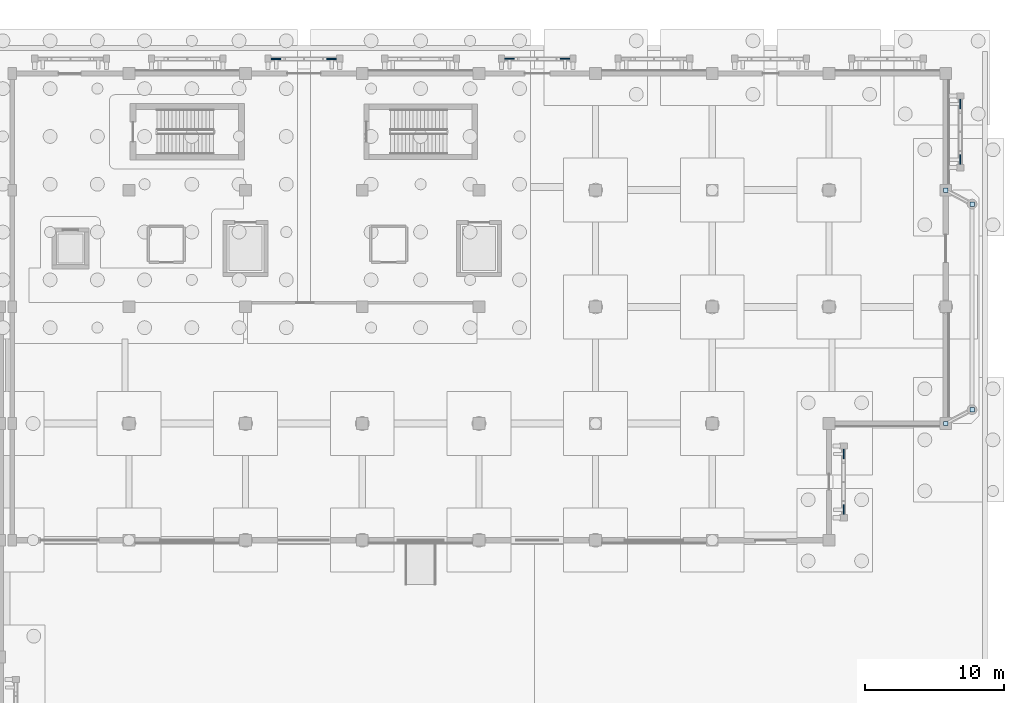
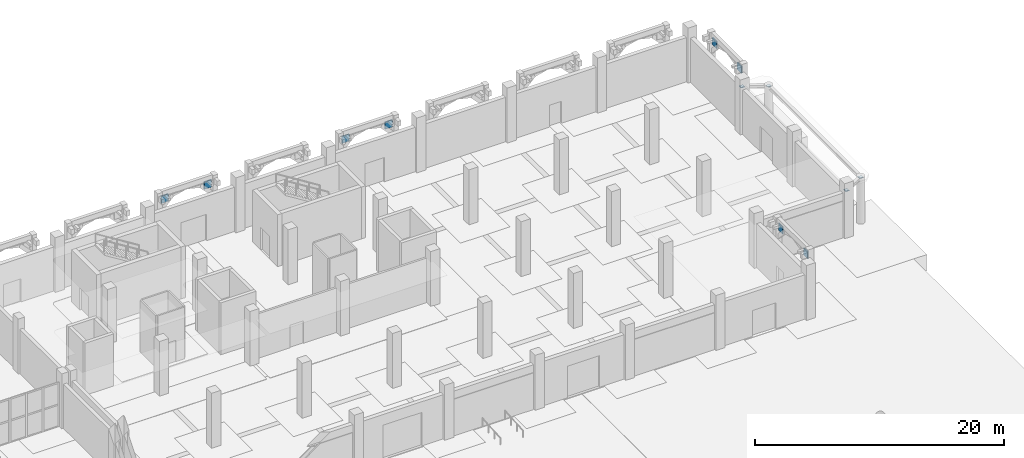
# One storey, part 60 of 98: 12 plates.
"""IFC4 building model written with IfcOpenShell, lengths in metres."""

import ifcopenshell
import ifcopenshell.guid

model = None  # the IFC model being written
_history = None  # IfcOwnerHistory: only IFC2X3 demands one
_inside = {}  # id of a spatial element -> (the spatial element, [elements in it])
_under = {}  # id of a project, library or spatial element -> (it, [spatial elements below it])
_declared = {}  # id of a project -> (the project, [libraries it declares])
_typed = {}  # id of a type object -> (the type object, [elements of that type])
_made_of = {}  # id of a material, layer set ... -> (it, [elements and type objects made of it])


def new_model(schema):
    """Start an empty IFC model of exactly this schema.

    Asked for "IFC4X3", IfcOpenShell would pick the latest addendum, in which some entities
    have other attributes; the version numbers below select the first issue.
    IFC2X3 requires an IfcOwnerHistory on every rooted entity: one is made here for all.
    """
    global model, _history
    if schema == "IFC4X3":
        model = ifcopenshell.file(schema_version=(4, 3, 0, 0))
    else:
        model = ifcopenshell.file(schema=schema)
    _inside.clear()
    _under.clear()
    _declared.clear()
    _typed.clear()
    _made_of.clear()
    _history = None
    if model.schema == "IFC2X3":
        org = make("IfcOrganization", Name="unknown")
        user = make(
            "IfcPersonAndOrganization",
            ThePerson=make("IfcPerson", FamilyName="unknown"),
            TheOrganization=org,
        )
        app = make(
            "IfcApplication",
            ApplicationDeveloper=org,
            Version="unknown",
            ApplicationFullName="unknown",
            ApplicationIdentifier="unknown",
        )
        _history = make(
            "IfcOwnerHistory",
            OwningUser=user,
            OwningApplication=app,
            ChangeAction="ADDED",
            CreationDate=0,
        )
    return model


def make(cls, **values):
    """One entity of the class cls with the attributes given. An attribute that is None is left unset."""
    return model.create_entity(
        cls, **{name: value for name, value in values.items() if value is not None}
    )


def rooted(cls, **values):
    """An entity with a GlobalId (a new one), such as an element, a storey or a relation."""
    return make(cls, GlobalId=ifcopenshell.guid.new(), OwnerHistory=_history, **values)


def si_unit(unit_type, name, prefix=None):
    """IfcSIUnit, for example si_unit("LENGTHUNIT", "METRE", prefix="MILLI")."""
    return make("IfcSIUnit", UnitType=unit_type, Prefix=prefix, Name=name)


def assignment(units):
    """IfcUnitAssignment: the units of a project."""
    return None if units is None else make("IfcUnitAssignment", Units=units)


def point(xyz):
    """IfcCartesianPoint."""
    return None if xyz is None else make("IfcCartesianPoint", Coordinates=xyz)


def direction(xyz):
    """IfcDirection."""
    return None if xyz is None else make("IfcDirection", DirectionRatios=xyz)


def frame(location, z_axis=None, x_axis=None):
    """IfcAxis2Placement3D, a coordinate frame: its origin and axes. An axis left out is left unset."""
    return make(
        "IfcAxis2Placement3D",
        Location=point(location),
        Axis=direction(z_axis),
        RefDirection=direction(x_axis),
    )


def frame_2d(location, x_axis=None):
    """IfcAxis2Placement2D, a coordinate frame in the plane: its origin and x axis."""
    return make(
        "IfcAxis2Placement2D", Location=point(location), RefDirection=direction(x_axis)
    )


def origin():
    """The frame at (0, 0, 0) with its axes left unset."""
    return frame((0.0, 0.0, 0.0))


def origin_2d():
    """The frame at (0, 0) in the plane with its x axis left unset."""
    return frame_2d((0.0, 0.0))


def place(relative_to, where):
    """IfcLocalPlacement: puts the frame where relative to a parent placement (None: the world)."""
    return make(
        "IfcLocalPlacement", PlacementRelTo=relative_to, RelativePlacement=where
    )


def context(
    kind, dimensions, precision=None, world=None, true_north=None, identifier=None
):
    """IfcGeometricRepresentationContext, for example the 3D "Model" context."""
    return make(
        "IfcGeometricRepresentationContext",
        ContextIdentifier=identifier,
        ContextType=kind,
        CoordinateSpaceDimension=dimensions,
        Precision=precision,
        WorldCoordinateSystem=world,
        TrueNorth=true_north,
    )


def subcontext(parent, identifier, kind, view, scale=None):
    """IfcGeometricRepresentationSubContext, for example "Body" below "Model"."""
    return make(
        "IfcGeometricRepresentationSubContext",
        ContextIdentifier=identifier,
        ContextType=kind,
        ParentContext=parent,
        TargetScale=scale,
        TargetView=view,
    )


def project(units=None, contexts=None):
    """IfcProject with its units and contexts."""
    return rooted(
        "IfcProject",
        Name="project",
        RepresentationContexts=contexts,
        UnitsInContext=assignment(units),
    )


def spatial(cls, under=None, at=None, **own):
    """A site, building, storey or space (cls), placed at a placement, below another one or the project."""
    s = rooted(cls, ObjectPlacement=at, **own)
    if under is not None:
        _under.setdefault(under.id(), (under, []))[1].append(s)
    return s


def profile(cls, at=None, kind="AREA", **sizes):
    """A parametric profile (cls). Its sizes go by their IFC names, for example OverallWidth=200.0."""
    return make(cls, ProfileType=kind, Position=at, **sizes)


def rectangle(**sizes):
    """IfcRectangleProfileDef."""
    return profile("IfcRectangleProfileDef", **sizes)


def extrude(swept, where, along, depth):
    """IfcExtrudedAreaSolid: the profile swept, set in the frame where, extruded along a direction by depth."""
    return make(
        "IfcExtrudedAreaSolid",
        SweptArea=swept,
        Position=where,
        ExtrudedDirection=direction(along),
        Depth=depth,
    )


def shape(context_of_items, identifier, shape_type, items):
    """IfcShapeRepresentation: the items that make up one representation, for example the "Body"."""
    return make(
        "IfcShapeRepresentation",
        ContextOfItems=context_of_items,
        RepresentationIdentifier=identifier,
        RepresentationType=shape_type,
        Items=items,
    )


def material(Name=None, Category=None):
    """IfcMaterial."""
    return make("IfcMaterial", Name=Name, Category=Category)


def layer(
    of_material, thickness, ventilated=None, Name=None, Category=None, Priority=None
):
    """IfcMaterialLayer: one layer of a wall or slab, of a material (None: an air gap)."""
    return make(
        "IfcMaterialLayer",
        Material=of_material,
        LayerThickness=thickness,
        IsVentilated=ventilated,
        Name=Name,
        Category=Category,
        Priority=Priority,
    )


def layer_set(layers, Name=None):
    """IfcMaterialLayerSet."""
    return make("IfcMaterialLayerSet", MaterialLayers=layers, LayerSetName=Name)


def made_of(thing, what):
    """Note that an element or type object is made of a material, layer set ...; save() writes the relation."""
    if what is not None:
        _made_of.setdefault(what.id(), (what, []))[1].append(thing)
    return thing


def type_object(cls, material=None, **own):
    """A type object (cls), such as IfcWallType, which elements share."""
    return made_of(rooted(cls, **own), material)


def element(
    cls,
    number,
    at=None,
    inside=None,
    cuts=None,
    type_object=None,
    material=None,
    context=None,
    identifier="Body",
    shape_type=None,
    held_by="IfcProductDefinitionShape",
    body=None,
    shapes=None,
    **own,
):
    """One element of the class cls, such as IfcWall. Its Tag is "e" and its number.

    at: its placement. inside: the storey or other place that contains it. cuts: it is an
    opening in that element (IfcRelVoidsElement). A single representation is given by context,
    identifier, shape_type and body (its items); several are given by shapes. held_by: the class
    of the entity that holds the representations. save() writes the other relations.
    """
    e = rooted(cls, Tag="e%d" % number, ObjectPlacement=at, **own)
    if body is not None:
        shapes = [shape(context, identifier, shape_type, body)]
    if shapes is not None:
        e.Representation = make(held_by, Representations=shapes)
    if inside is not None:
        _inside.setdefault(inside.id(), (inside, []))[1].append(e)
    if cuts is not None:
        rooted(
            "IfcRelVoidsElement", RelatingBuildingElement=cuts, RelatedOpeningElement=e
        )
    if type_object is not None:
        _typed.setdefault(type_object.id(), (type_object, []))[1].append(e)
    return made_of(e, material)


def aggregate(whole, parts):
    """IfcRelAggregates: a whole, such as a stair, and the parts it consists of."""
    return rooted("IfcRelAggregates", RelatingObject=whole, RelatedObjects=parts)


def save(model, path):
    """Write the relations noted so far, then the file.

    IfcRelAggregates (storeys below a building ...), IfcRelContainedInSpatialStructure (elements
    in a storey), IfcRelDefinesByType, IfcRelAssociatesMaterial and IfcRelDeclares: one each for
    every whole, place, type object, material and project.
    """
    for whole, parts in _under.values():
        aggregate(whole, parts)
    for where, things in _inside.values():
        rooted(
            "IfcRelContainedInSpatialStructure",
            RelatedElements=things,
            RelatingStructure=where,
        )
    for kind, things in _typed.values():
        rooted("IfcRelDefinesByType", RelatedObjects=things, RelatingType=kind)
    for what, things in _made_of.values():
        rooted("IfcRelAssociatesMaterial", RelatedObjects=things, RelatingMaterial=what)
    for by, libraries in _declared.values():
        rooted("IfcRelDeclares", RelatingContext=by, RelatedDefinitions=libraries)
    model.write(path)


model = new_model("IFC4")

# Units and contexts
model_context = context("Model", 3, precision=1e-05, world=origin(), true_north=direction((0.0, 1.0)))
body_context = subcontext(model_context, "Body", "Model", "MODEL_VIEW")
ifc_project = project(units=[si_unit("LENGTHUNIT", "METRE"), si_unit("AREAUNIT", "SQUARE_METRE"), si_unit("VOLUMEUNIT", "CUBIC_METRE"), si_unit("PLANEANGLEUNIT", "RADIAN"), si_unit("MASSUNIT", "GRAM", prefix="KILO")], contexts=[model_context])

# Site, building, storey
site_placement = place(None, origin())
site = spatial("IfcSite", under=ifc_project, at=site_placement, CompositionType="ELEMENT")
building_placement = place(site_placement, origin())
building = spatial("IfcBuilding", under=site, at=building_placement, Name="Xazarin Passage Department Store", CompositionType="ELEMENT")
storey_placement = place(building_placement, origin())
storey = spatial("IfcBuildingStorey", under=building, at=storey_placement, Name="L00", CompositionType="ELEMENT", Elevation=0.0)

# Plates
ifc_material_1 = material(Name="Precast concrete C40/50", Category="concrete")
ifc_layer_1 = layer(ifc_material_1, 0.080078125)
ifc_layer_set_1 = layer_set([ifc_layer_1], Name="Precast concrete C40/50")
plate_type_1 = type_object("IfcPlateType", Name="ARC-PLT-SCR-01", PredefinedType="USERDEFINED", material=ifc_layer_set_1)
for number, where, z_axis, x_axis, name in (
    (1, (138.199951171875, 111.050048828125, 4.16015625), (0.0, 0.0, 1.0), (1.0, 0.0, 0.0), "L00 V4 Arch Spandrel Tympanum 0321"),
    (2, (142.199951171875, 111.050048828125, 4.16015625), (0.0, 0.0, 1.0), (1.0, 0.0, 0.0), "L00 V4 Arch Spandrel Tympanum 0322"),
    (3, (162.25, 78.60009765625, 4.16015625), (0.0, 0.0, 1.0), (0.0, 1.0, 0.0), "L00 V4 Arch Spandrel Tympanum 0341"),
    (4, (162.25, 82.60009765625, 4.16015625), (0.0, 0.0, 1.0), (0.0, 1.0, 0.0), "L00 V4 Arch Spandrel Tympanum 0342"),
):
    element("IfcPlate", number, at=place(storey_placement, frame(where, z_axis=z_axis, x_axis=x_axis)), inside=storey, type_object=plate_type_1, Name=name, ObjectType="SCREEN PANEL", PredefinedType="USERDEFINED", context=body_context, shape_type="SweptSolid", body=[
        extrude(rectangle(XDim=0.679931640625, YDim=0.080078125, at=origin_2d()), origin(), (0.0, 0.0, 1.0), 0.719970703125),
    ])
ifc_layer_2 = layer(ifc_material_1, 0.10009765625)
ifc_layer_set_2 = layer_set([ifc_layer_2], Name="Precast concrete C40/50")
plate_type_2 = type_object("IfcPlateType", Name="ARC-PLT-SCR-03", PredefinedType="USERDEFINED", material=ifc_layer_set_2)
for number, where, z_axis, x_axis, name in (
    (5, (170.64990234375, 103.800048828125, 4.16015625), (0.0, 0.0, 1.0), (0.0, 1.0, 0.0), "L00 V4 Arch Spandrel Tympanum 0343"),
    (6, (170.64990234375, 107.800048828125, 4.16015625), (0.0, 0.0, 1.0), (0.0, 1.0, 0.0), "L00 V4 Arch Spandrel Tympanum 0344"),
):
    element("IfcPlate", number, at=place(storey_placement, frame(where, z_axis=z_axis, x_axis=x_axis)), inside=storey, type_object=plate_type_2, Name=name, ObjectType="SCREEN PANEL", PredefinedType="USERDEFINED", context=body_context, shape_type="SweptSolid", body=[
        extrude(rectangle(XDim=0.679931640625, YDim=0.10009765625, at=origin_2d()), origin(), (0.0, 0.0, 1.0), 0.719970703125),
    ])
ifc_layer_3 = layer(ifc_material_1, 0.1201171875)
ifc_layer_set_3 = layer_set([ifc_layer_3], Name="Precast concrete C40/50")
plate_type_3 = type_object("IfcPlateType", Name="ARC-PLT-SCR-05", PredefinedType="USERDEFINED", material=ifc_layer_set_3)
for number, where, z_axis, x_axis, name in (
    (7, (121.39990234375, 111.050048828125, 4.16015625), (0.0, 0.0, 1.0), (1.0, 0.0, 0.0), "L00 V4 Arch Spandrel Tympanum 0305"),
    (8, (125.39990234375, 111.050048828125, 4.16015625), (0.0, 0.0, 1.0), (1.0, 0.0, 0.0), "L00 V4 Arch Spandrel Tympanum 0306"),
):
    element("IfcPlate", number, at=place(storey_placement, frame(where, z_axis=z_axis, x_axis=x_axis)), inside=storey, type_object=plate_type_3, Name=name, ObjectType="SCREEN PANEL", PredefinedType="USERDEFINED", context=body_context, shape_type="SweptSolid", body=[
        extrude(rectangle(XDim=0.679931640625, YDim=0.1201171875, at=origin_2d()), origin(), (0.0, 0.0, 1.0), 0.719970703125),
    ])
ifc_material_2 = material(Name="Steel S355", Category="steel")
ifc_layer_4 = layer(ifc_material_2, 0.02001953125)
ifc_layer_set_4 = layer_set([ifc_layer_4], Name="Steel S355")
plate_type_4 = type_object("IfcPlateType", Name="STR-PLT-CAP20", PredefinedType="USERDEFINED", material=ifc_layer_set_4)
for number, where, z_axis, x_axis, name in (
    (9, (169.60009765625, 84.800048828125, 4.3740234375), (0.0, 0.0, 1.0), (1.0, 0.0, 0.0), "Entrance Canopy Chord End Cap CN3-1-1"),
    (10, (171.5, 85.800048828125, 4.3740234375), (0.0, 0.0, 1.0), (1.0, 0.0, 0.0), "Entrance Canopy Chord End Cap CN3-1-2"),
    (11, (169.60009765625, 101.60009765625, 4.3740234375), (0.0, 0.0, 1.0), (1.0, 0.0, 0.0), "Entrance Canopy Chord End Cap CN3-2-1"),
    (12, (171.5, 100.60009765625, 4.3740234375), (0.0, 0.0, 1.0), (1.0, 0.0, 0.0), "Entrance Canopy Chord End Cap CN3-2-2"),
):
    element("IfcPlate", number, at=place(storey_placement, frame(where, z_axis=z_axis, x_axis=x_axis)), inside=storey, type_object=plate_type_4, Name=name, ObjectType="GUSSET PLATE", PredefinedType="USERDEFINED", context=body_context, shape_type="SweptSolid", body=[
        extrude(rectangle(XDim=0.320068359375, YDim=0.320068359375, at=origin_2d()), origin(), (0.0, 0.0, 1.0), 0.031982421875),
    ])

save(model, "model.ifc")
